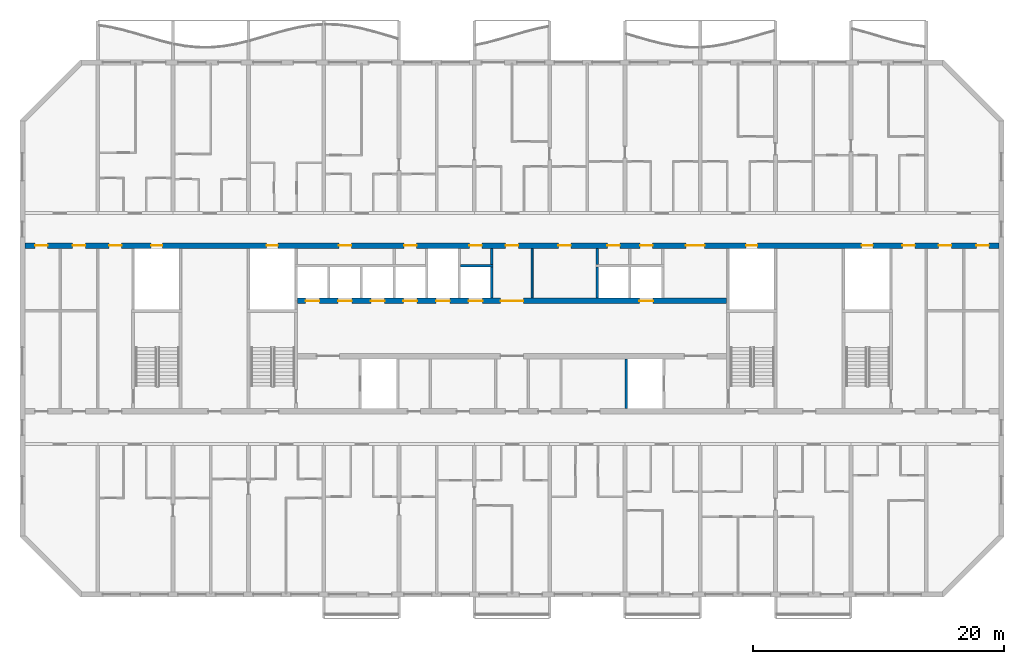
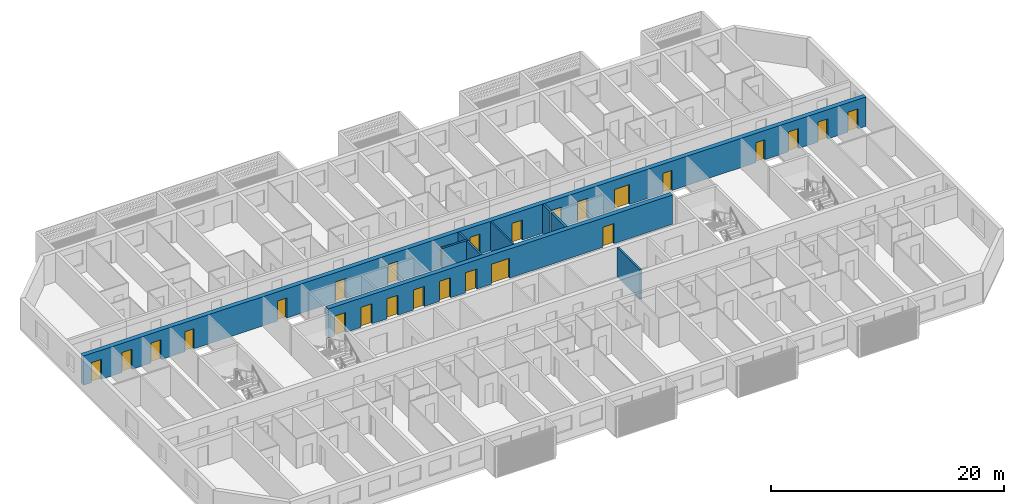
# One storey, part 7 of 32: 26 doors, 9 walls, 26 openings.
"""IFC4 building model written with IfcOpenShell, lengths in metres."""

from ifc_helpers import new_model, si_unit, direction, frame, frame_2d, origin, place, context, subcontext, project, spatial, rectangle, extrude, material, layer, layer_set, type_object, element, fill, save


model = new_model("IFC4")

# Units and contexts
model_context = context("Model", 3, precision=1e-05, world=origin(), true_north=direction((0.0, 1.0)))
body_context = subcontext(model_context, "Body", "Model", "MODEL_VIEW")
ifc_project = project(units=[si_unit("LENGTHUNIT", "METRE"), si_unit("AREAUNIT", "SQUARE_METRE"), si_unit("VOLUMEUNIT", "CUBIC_METRE"), si_unit("PLANEANGLEUNIT", "RADIAN"), si_unit("MASSUNIT", "GRAM", prefix="KILO")], contexts=[model_context])

# Site, building, storey
site_placement = place(None, origin())
site = spatial("IfcSite", under=ifc_project, at=site_placement, CompositionType="ELEMENT")
building_placement = place(site_placement, origin())
building = spatial("IfcBuilding", under=site, at=building_placement, Name="Poui Terraces", CompositionType="ELEMENT")
storey_placement = place(building_placement, frame((0.0, 0.0, 129.0)))
storey = spatial("IfcBuildingStorey", under=building, at=storey_placement, Name="L35", CompositionType="ELEMENT", Elevation=129.0)

# Wall, openings, doors
ifc_material_1 = material(Name="Concrete 65 MPa", Category="concrete")
ifc_layer_1 = layer(ifc_material_1, 0.449951171875)
ifc_layer_set_1 = layer_set([ifc_layer_1], Name="Concrete 65 MPa")
wall_type_1 = type_object("IfcWallType", Name="CORE WALL 450 65 MPA", PredefinedType="SOLIDWALL", material=ifc_layer_set_1)
wall_1_placement = place(storey_placement, frame((33.925048828125, 23.39990234375, 0.0), z_axis=(0.0, 0.0, 1.0), x_axis=(1.0, 0.0, 0.0)))
wall_1 = element("IfcWall", 1, at=wall_1_placement, inside=storey, type_object=wall_type_1, Name="CORE WALL", PredefinedType="SOLIDWALL", context=body_context, shape_type="SweptSolid", body=[
    extrude(rectangle(XDim=34.14990234375, YDim=0.449951171875, at=frame_2d((17.074951171875, 0.0))), origin(), (0.0, 0.0, 1.0), 3.070068359375),
])
opening_1_placement = place(wall_1_placement, frame((16.175048828125, 0.0, 0.0)))
opening_1 = element("IfcOpeningElement", 2, at=opening_1_placement, cuts=wall_1, Name="Opening FDD60", PredefinedType="OPENING", context=body_context, shape_type="SweptSolid", body=[
    extrude(rectangle(XDim=1.800048828125, YDim=2.10009765625, at=frame_2d((0.89990234375, 1.050048828125))), frame((0.0, 0.23486328125, 0.0), z_axis=(0.0, -1.0, 0.0), x_axis=(1.0, 0.0, 0.0)), (0.0, 0.0, 1.0), 0.469970703125),
])
opening_2_placement = place(wall_1_placement, frame((0.625, 0.0, 0.0)))
opening_2 = element("IfcOpeningElement", 3, at=opening_2_placement, cuts=wall_1, Name="Opening LD", PredefinedType="OPENING", context=body_context, shape_type="SweptSolid", body=[
    extrude(rectangle(XDim=1.10009765625, YDim=2.10009765625, at=frame_2d((0.550048828125, 1.050048828125))), frame((0.0, 0.23486328125, 0.0), z_axis=(0.0, -1.0, 0.0), x_axis=(1.0, 0.0, 0.0)), (0.0, 0.0, 1.0), 0.469970703125),
])
opening_3_placement = place(wall_1_placement, frame((3.22509765625, 0.0, 0.0)))
opening_3 = element("IfcOpeningElement", 4, at=opening_3_placement, cuts=wall_1, Name="Opening LD", PredefinedType="OPENING", context=body_context, shape_type="SweptSolid", body=[
    extrude(rectangle(XDim=1.10009765625, YDim=2.10009765625, at=frame_2d((0.550048828125, 1.050048828125))), frame((0.0, 0.23486328125, 0.0), z_axis=(0.0, -1.0, 0.0), x_axis=(1.0, 0.0, 0.0)), (0.0, 0.0, 1.0), 0.469970703125),
])
opening_4_placement = place(wall_1_placement, frame((5.824951171875, 0.0, 0.0)))
opening_4 = element("IfcOpeningElement", 5, at=opening_4_placement, cuts=wall_1, Name="Opening LD", PredefinedType="OPENING", context=body_context, shape_type="SweptSolid", body=[
    extrude(rectangle(XDim=1.10009765625, YDim=2.10009765625, at=frame_2d((0.550048828125, 1.050048828125))), frame((0.0, 0.23486328125, 0.0), z_axis=(0.0, -1.0, 0.0), x_axis=(1.0, 0.0, 0.0)), (0.0, 0.0, 1.0), 0.469970703125),
])
opening_5_placement = place(wall_1_placement, frame((8.425048828125, 0.0, 0.0)))
opening_5 = element("IfcOpeningElement", 6, at=opening_5_placement, cuts=wall_1, Name="Opening LD", PredefinedType="OPENING", context=body_context, shape_type="SweptSolid", body=[
    extrude(rectangle(XDim=1.10009765625, YDim=2.10009765625, at=frame_2d((0.550048828125, 1.050048828125))), frame((0.0, 0.23486328125, 0.0), z_axis=(0.0, -1.0, 0.0), x_axis=(1.0, 0.0, 0.0)), (0.0, 0.0, 1.0), 0.469970703125),
])
opening_6_placement = place(wall_1_placement, frame((11.02490234375, 0.0, 0.0)))
opening_6 = element("IfcOpeningElement", 7, at=opening_6_placement, cuts=wall_1, Name="Opening LD", PredefinedType="OPENING", context=body_context, shape_type="SweptSolid", body=[
    extrude(rectangle(XDim=1.10009765625, YDim=2.10009765625, at=frame_2d((0.550048828125, 1.050048828125))), frame((0.0, 0.23486328125, 0.0), z_axis=(0.0, -1.0, 0.0), x_axis=(1.0, 0.0, 0.0)), (0.0, 0.0, 1.0), 0.469970703125),
])
opening_7_placement = place(wall_1_placement, frame((13.625, 0.0, 0.0)))
opening_7 = element("IfcOpeningElement", 8, at=opening_7_placement, cuts=wall_1, Name="Opening LD", PredefinedType="OPENING", context=body_context, shape_type="SweptSolid", body=[
    extrude(rectangle(XDim=1.10009765625, YDim=2.10009765625, at=frame_2d((0.550048828125, 1.050048828125))), frame((0.0, 0.23486328125, 0.0), z_axis=(0.0, -1.0, 0.0), x_axis=(1.0, 0.0, 0.0)), (0.0, 0.0, 1.0), 0.469970703125),
])
opening_8_placement = place(wall_1_placement, frame((27.22509765625, 0.0, 0.0)))
opening_8 = element("IfcOpeningElement", 9, at=opening_8_placement, cuts=wall_1, Name="Opening LD", PredefinedType="OPENING", context=body_context, shape_type="SweptSolid", body=[
    extrude(rectangle(XDim=1.10009765625, YDim=2.10009765625, at=frame_2d((0.550048828125, 1.050048828125))), frame((0.0, 0.23486328125, 0.0), z_axis=(0.0, -1.0, 0.0), x_axis=(1.0, 0.0, 0.0)), (0.0, 0.0, 1.0), 0.469970703125),
])
ifc_material_2 = material(Name="Steel fire door", Category="steel")
door_type_1 = type_object("IfcDoorType", Name="DOUBLE LOBBY FIRE DOOR 1800 X 2100", OperationType="DOUBLE_DOOR_SINGLE_SWING", PredefinedType="DOOR", material=ifc_material_2)
door_1_placement = place(opening_1_placement, origin())
door_1 = element("IfcDoor", 10, at=door_1_placement, inside=storey, type_object=door_type_1, Name="DOUBLE LOBBY FIRE DOOR 125", OperationType="DOUBLE_DOOR_SINGLE_SWING", OverallHeight=2.10009765625, OverallWidth=1.800048828125, PredefinedType="DOOR", context=body_context, shape_type="SweptSolid", body=[
    extrude(rectangle(XDim=1.800048828125, YDim=2.10009765625, at=frame_2d((0.89990234375, 1.050048828125))), frame((0.0, 0.02490234375, 0.0), z_axis=(0.0, -1.0, 0.0), x_axis=(1.0, 0.0, 0.0)), (0.0, 0.0, 1.0), 0.050048828125),
])
fill(opening_1, door_1)
ifc_material_3 = material(Name="Stainless steel sliding door", Category="steel")
door_type_2 = type_object("IfcDoorType", Name="LIFT LANDING DOOR 1100 X 2100", OperationType="DOUBLE_DOOR_SLIDING", PredefinedType="DOOR", material=ifc_material_3)
door_2_placement = place(opening_2_placement, origin())
door_2 = element("IfcDoor", 11, at=door_2_placement, inside=storey, type_object=door_type_2, Name="LANDING DOOR", OperationType="DOUBLE_DOOR_SLIDING", OverallHeight=2.10009765625, OverallWidth=1.10009765625, PredefinedType="DOOR", context=body_context, shape_type="SweptSolid", body=[
    extrude(rectangle(XDim=1.10009765625, YDim=2.10009765625, at=frame_2d((0.550048828125, 1.050048828125))), frame((0.0, 0.02490234375, 0.0), z_axis=(0.0, -1.0, 0.0), x_axis=(1.0, 0.0, 0.0)), (0.0, 0.0, 1.0), 0.050048828125),
])
fill(opening_2, door_2)
door_3_placement = place(opening_3_placement, origin())
door_3 = element("IfcDoor", 12, at=door_3_placement, inside=storey, type_object=door_type_2, Name="LANDING DOOR", OperationType="DOUBLE_DOOR_SLIDING", OverallHeight=2.10009765625, OverallWidth=1.10009765625, PredefinedType="DOOR", context=body_context, shape_type="SweptSolid", body=[
    extrude(rectangle(XDim=1.10009765625, YDim=2.10009765625, at=frame_2d((0.550048828125, 1.050048828125))), frame((0.0, 0.02490234375, 0.0), z_axis=(0.0, -1.0, 0.0), x_axis=(1.0, 0.0, 0.0)), (0.0, 0.0, 1.0), 0.050048828125),
])
fill(opening_3, door_3)
door_4_placement = place(opening_4_placement, origin())
door_4 = element("IfcDoor", 13, at=door_4_placement, inside=storey, type_object=door_type_2, Name="LANDING DOOR", OperationType="DOUBLE_DOOR_SLIDING", OverallHeight=2.10009765625, OverallWidth=1.10009765625, PredefinedType="DOOR", context=body_context, shape_type="SweptSolid", body=[
    extrude(rectangle(XDim=1.10009765625, YDim=2.10009765625, at=frame_2d((0.550048828125, 1.050048828125))), frame((0.0, 0.02490234375, 0.0), z_axis=(0.0, -1.0, 0.0), x_axis=(1.0, 0.0, 0.0)), (0.0, 0.0, 1.0), 0.050048828125),
])
fill(opening_4, door_4)
door_5_placement = place(opening_5_placement, origin())
door_5 = element("IfcDoor", 14, at=door_5_placement, inside=storey, type_object=door_type_2, Name="LANDING DOOR", OperationType="DOUBLE_DOOR_SLIDING", OverallHeight=2.10009765625, OverallWidth=1.10009765625, PredefinedType="DOOR", context=body_context, shape_type="SweptSolid", body=[
    extrude(rectangle(XDim=1.10009765625, YDim=2.10009765625, at=frame_2d((0.550048828125, 1.050048828125))), frame((0.0, 0.02490234375, 0.0), z_axis=(0.0, -1.0, 0.0), x_axis=(1.0, 0.0, 0.0)), (0.0, 0.0, 1.0), 0.050048828125),
])
fill(opening_5, door_5)
door_6_placement = place(opening_6_placement, origin())
door_6 = element("IfcDoor", 15, at=door_6_placement, inside=storey, type_object=door_type_2, Name="LANDING DOOR", OperationType="DOUBLE_DOOR_SLIDING", OverallHeight=2.10009765625, OverallWidth=1.10009765625, PredefinedType="DOOR", context=body_context, shape_type="SweptSolid", body=[
    extrude(rectangle(XDim=1.10009765625, YDim=2.10009765625, at=frame_2d((0.550048828125, 1.050048828125))), frame((0.0, 0.02490234375, 0.0), z_axis=(0.0, -1.0, 0.0), x_axis=(1.0, 0.0, 0.0)), (0.0, 0.0, 1.0), 0.050048828125),
])
fill(opening_6, door_6)
door_7_placement = place(opening_7_placement, origin())
door_7 = element("IfcDoor", 16, at=door_7_placement, inside=storey, type_object=door_type_2, Name="LANDING DOOR", OperationType="DOUBLE_DOOR_SLIDING", OverallHeight=2.10009765625, OverallWidth=1.10009765625, PredefinedType="DOOR", context=body_context, shape_type="SweptSolid", body=[
    extrude(rectangle(XDim=1.10009765625, YDim=2.10009765625, at=frame_2d((0.550048828125, 1.050048828125))), frame((0.0, 0.02490234375, 0.0), z_axis=(0.0, -1.0, 0.0), x_axis=(1.0, 0.0, 0.0)), (0.0, 0.0, 1.0), 0.050048828125),
])
fill(opening_7, door_7)
door_8_placement = place(opening_8_placement, origin())
door_8 = element("IfcDoor", 17, at=door_8_placement, inside=storey, type_object=door_type_2, Name="LANDING DOOR", OperationType="DOUBLE_DOOR_SLIDING", OverallHeight=2.10009765625, OverallWidth=1.10009765625, PredefinedType="DOOR", context=body_context, shape_type="SweptSolid", body=[
    extrude(rectangle(XDim=1.10009765625, YDim=2.10009765625, at=frame_2d((0.550048828125, 1.050048828125))), frame((0.0, 0.02490234375, 0.0), z_axis=(0.0, -1.0, 0.0), x_axis=(1.0, 0.0, 0.0)), (0.0, 0.0, 1.0), 0.050048828125),
])
fill(opening_8, door_8)

# Walls
ifc_material_4 = material(Name="Fire-rated plasterboard wall")
ifc_layer_2 = layer(ifc_material_4, 0.14990234375)
ifc_layer_set_2 = layer_set([ifc_layer_2], Name="Fire-rated plasterboard wall")
wall_type_2 = type_object("IfcWallType", Name="CORRIDOR WALL 150", PredefinedType="PARTITIONING", material=ifc_layer_set_2)
wall_2_placement = place(storey_placement, frame((52.60009765625, 23.635009765625, 0.0), z_axis=(0.0, 0.0, 1.0), x_axis=(0.0, 1.0, 0.0)))
element("IfcWall", 18, at=wall_2_placement, inside=storey, type_object=wall_type_2, Name="CORRIDOR WALL 150", PredefinedType="PARTITIONING", context=body_context, shape_type="SweptSolid", body=[
    extrude(rectangle(XDim=3.929931640625, YDim=0.14990234375, at=frame_2d((1.96484375, 0.0))), origin(), (0.0, 0.0, 1.0), 3.070068359375),
])
ifc_material_5 = material(Name="Fire-rated masonry wall", Category="masonry")
ifc_layer_3 = layer(ifc_material_5, 0.199951171875)
ifc_layer_set_3 = layer_set([ifc_layer_3], Name="Fire-rated masonry wall")
wall_type_3 = type_object("IfcWallType", Name="PLANT ROOM WALL 200", PredefinedType="PARTITIONING", material=ifc_layer_set_3)
for number, where, z_axis, x_axis, name in (
    (19, (49.39990234375, 26.300048828125, 0.0), (0.0, 0.0, 1.0), (0.0, 1.0, 0.0), "PLANT ROOM WALL 200"),
    (20, (57.800048828125, 26.300048828125, 0.0), (0.0, 0.0, 1.0), (0.0, 1.0, 0.0), "PLANT ROOM WALL 200"),
):
    element("IfcWall", number, at=place(storey_placement, frame(where, z_axis=z_axis, x_axis=x_axis)), inside=storey, type_object=wall_type_3, Name=name, PredefinedType="PARTITIONING", context=body_context, shape_type="SweptSolid", body=[
        extrude(rectangle(XDim=1.264892578125, YDim=0.199951171875, at=frame_2d((0.63232421875, 0.0))), origin(), (0.0, 0.0, 1.0), 3.070068359375),
    ])
ifc_material_6 = material(Name="Fire-rated masonry shaft wall", Category="masonry")
ifc_layer_4 = layer(ifc_material_6, 0.199951171875)
ifc_layer_set_4 = layer_set([ifc_layer_4], Name="Fire-rated masonry shaft wall")
wall_type_4 = type_object("IfcWallType", Name="SHAFT WALL 200", PredefinedType="PARTITIONING", material=ifc_layer_set_4)
wall_3_placement = place(storey_placement, frame((46.89990234375, 26.199951171875, 0.0), z_axis=(0.0, 0.0, 1.0), x_axis=(1.0, 0.0, 0.0)))
element("IfcWall", 21, at=wall_3_placement, inside=storey, type_object=wall_type_4, Name="SHAFT WALL 200", PredefinedType="PARTITIONING", context=body_context, shape_type="SweptSolid", body=[
    extrude(rectangle(XDim=2.60009765625, YDim=0.199951171875, at=frame_2d((1.300048828125, 0.0))), origin(), (0.0, 0.0, 1.0), 3.070068359375),
])
for number, where, z_axis, x_axis, name in (
    (22, (49.39990234375, 23.635009765625, 0.0), (0.0, 0.0, 1.0), (0.0, 1.0, 0.0), "SHAFT WALL 200"),
    (23, (57.800048828125, 23.635009765625, 0.0), (0.0, 0.0, 1.0), (0.0, 1.0, 0.0), "SHAFT WALL 200"),
):
    element("IfcWall", number, at=place(storey_placement, frame(where, z_axis=z_axis, x_axis=x_axis)), inside=storey, type_object=wall_type_4, Name=name, PredefinedType="PARTITIONING", context=body_context, shape_type="SweptSolid", body=[
        extrude(rectangle(XDim=2.465087890625, YDim=0.199951171875, at=frame_2d((1.232421875, 0.0))), origin(), (0.0, 0.0, 1.0), 3.070068359375),
    ])
wall_4_placement = place(storey_placement, frame((60.10009765625, 14.8349609375, 0.0), z_axis=(0.0, 0.0, 1.0), x_axis=(0.0, 1.0, 0.0)))
element("IfcWall", 24, at=wall_4_placement, inside=storey, type_object=wall_type_4, Name="SHAFT WALL 200", PredefinedType="PARTITIONING", context=body_context, shape_type="SweptSolid", body=[
    extrude(rectangle(XDim=3.929931640625, YDim=0.199951171875, at=frame_2d((1.96484375, 0.0))), origin(), (0.0, 0.0, 1.0), 3.070068359375),
])

# Wall, openings, doors
ifc_layer_5 = layer(ifc_material_1, 0.449951171875)
ifc_layer_set_5 = layer_set([ifc_layer_5], Name="Concrete 65 MPa")
wall_type_5 = type_object("IfcWallType", Name="SPINE WALL 450 65 MPA", PredefinedType="SOLIDWALL", material=ifc_layer_set_5)
wall_5_placement = place(storey_placement, frame((12.199951171875, 27.800048828125, 0.0), z_axis=(0.0, 0.0, 1.0), x_axis=(1.0, 0.0, 0.0)))
wall_5 = element("IfcWall", 25, at=wall_5_placement, inside=storey, type_object=wall_type_5, Name="SPINE WALL", PredefinedType="SOLIDWALL", context=body_context, shape_type="SweptSolid", body=[
    extrude(rectangle(XDim=77.60009765625, YDim=0.449951171875, at=frame_2d((38.800048828125, 0.0))), origin(), (0.0, 0.0, 1.0), 3.070068359375),
])
opening_9_placement = place(wall_5_placement, frame((0.800048828125, 0.0, 0.0)))
opening_9 = element("IfcOpeningElement", 26, at=opening_9_placement, cuts=wall_5, Name="Opening FD60", PredefinedType="OPENING", context=body_context, shape_type="SweptSolid", body=[
    extrude(rectangle(XDim=1.0, YDim=2.10009765625, at=frame_2d((0.5, 1.050048828125))), frame((0.0, 0.23486328125, 0.0), z_axis=(0.0, -1.0, 0.0), x_axis=(1.0, 0.0, 0.0)), (0.0, 0.0, 1.0), 0.469970703125),
])
opening_10_placement = place(wall_5_placement, frame((3.800048828125, 0.0, 0.0)))
opening_10 = element("IfcOpeningElement", 27, at=opening_10_placement, cuts=wall_5, Name="Opening D100", PredefinedType="OPENING", context=body_context, shape_type="SweptSolid", body=[
    extrude(rectangle(XDim=1.0, YDim=2.10009765625, at=frame_2d((0.5, 1.050048828125))), frame((0.0, 0.23486328125, 0.0), z_axis=(0.0, -1.0, 0.0), x_axis=(1.0, 0.0, 0.0)), (0.0, 0.0, 1.0), 0.469970703125),
])
opening_11_placement = place(wall_5_placement, frame((6.699951171875, 0.0, 0.0)))
opening_11 = element("IfcOpeningElement", 28, at=opening_11_placement, cuts=wall_5, Name="Opening FDL", PredefinedType="OPENING", context=body_context, shape_type="SweptSolid", body=[
    extrude(rectangle(XDim=1.0, YDim=2.10009765625, at=frame_2d((0.5, 1.050048828125))), frame((0.0, 0.23486328125, 0.0), z_axis=(0.0, -1.0, 0.0), x_axis=(1.0, 0.0, 0.0)), (0.0, 0.0, 1.0), 0.469970703125),
])
opening_12_placement = place(wall_5_placement, frame((10.050048828125, 0.0, 0.0)))
opening_12 = element("IfcOpeningElement", 29, at=opening_12_placement, cuts=wall_5, Name="Opening FDR", PredefinedType="OPENING", context=body_context, shape_type="SweptSolid", body=[
    extrude(rectangle(XDim=0.89990234375, YDim=2.10009765625, at=frame_2d((0.449951171875, 1.050048828125))), frame((0.0, 0.23486328125, 0.0), z_axis=(0.0, -1.0, 0.0), x_axis=(1.0, 0.0, 0.0)), (0.0, 0.0, 1.0), 0.469970703125),
])
opening_13_placement = place(wall_5_placement, frame((19.25, 0.0, 0.0)))
opening_13 = element("IfcOpeningElement", 30, at=opening_13_placement, cuts=wall_5, Name="Opening FDR", PredefinedType="OPENING", context=body_context, shape_type="SweptSolid", body=[
    extrude(rectangle(XDim=0.89990234375, YDim=2.10009765625, at=frame_2d((0.449951171875, 1.050048828125))), frame((0.0, 0.23486328125, 0.0), z_axis=(0.0, -1.0, 0.0), x_axis=(1.0, 0.0, 0.0)), (0.0, 0.0, 1.0), 0.469970703125),
])
opening_14_placement = place(wall_5_placement, frame((25.0, 0.0, 0.0)))
opening_14 = element("IfcOpeningElement", 31, at=opening_14_placement, cuts=wall_5, Name="Opening FD60", PredefinedType="OPENING", context=body_context, shape_type="SweptSolid", body=[
    extrude(rectangle(XDim=1.0, YDim=2.10009765625, at=frame_2d((0.5, 1.050048828125))), frame((0.0, 0.23486328125, 0.0), z_axis=(0.0, -1.0, 0.0), x_axis=(1.0, 0.0, 0.0)), (0.0, 0.0, 1.0), 0.469970703125),
])
opening_15_placement = place(wall_5_placement, frame((30.199951171875, 0.0, 0.0)))
opening_15 = element("IfcOpeningElement", 32, at=opening_15_placement, cuts=wall_5, Name="Opening FD60", PredefinedType="OPENING", context=body_context, shape_type="SweptSolid", body=[
    extrude(rectangle(XDim=1.0, YDim=2.10009765625, at=frame_2d((0.5, 1.050048828125))), frame((0.0, 0.23486328125, 0.0), z_axis=(0.0, -1.0, 0.0), x_axis=(1.0, 0.0, 0.0)), (0.0, 0.0, 1.0), 0.469970703125),
])
opening_16_placement = place(wall_5_placement, frame((35.39990234375, 0.0, 0.0)))
opening_16 = element("IfcOpeningElement", 33, at=opening_16_placement, cuts=wall_5, Name="Opening FD60", PredefinedType="OPENING", context=body_context, shape_type="SweptSolid", body=[
    extrude(rectangle(XDim=1.0, YDim=2.10009765625, at=frame_2d((0.5, 1.050048828125))), frame((0.0, 0.23486328125, 0.0), z_axis=(0.0, -1.0, 0.0), x_axis=(1.0, 0.0, 0.0)), (0.0, 0.0, 1.0), 0.469970703125),
])
opening_17_placement = place(wall_5_placement, frame((38.300048828125, 0.0, 0.0)))
opening_17 = element("IfcOpeningElement", 34, at=opening_17_placement, cuts=wall_5, Name="Opening FDL", PredefinedType="OPENING", context=body_context, shape_type="SweptSolid", body=[
    extrude(rectangle(XDim=1.0, YDim=2.10009765625, at=frame_2d((0.5, 1.050048828125))), frame((0.0, 0.23486328125, 0.0), z_axis=(0.0, -1.0, 0.0), x_axis=(1.0, 0.0, 0.0)), (0.0, 0.0, 1.0), 0.469970703125),
])
opening_18_placement = place(wall_5_placement, frame((42.5, 0.0, 0.0)))
opening_18 = element("IfcOpeningElement", 35, at=opening_18_placement, cuts=wall_5, Name="Opening FD60", PredefinedType="OPENING", context=body_context, shape_type="SweptSolid", body=[
    extrude(rectangle(XDim=1.0, YDim=2.10009765625, at=frame_2d((0.5, 1.050048828125))), frame((0.0, 0.23486328125, 0.0), z_axis=(0.0, -1.0, 0.0), x_axis=(1.0, 0.0, 0.0)), (0.0, 0.0, 1.0), 0.469970703125),
])
opening_19_placement = place(wall_5_placement, frame((46.39990234375, 0.0, 0.0)))
opening_19 = element("IfcOpeningElement", 36, at=opening_19_placement, cuts=wall_5, Name="Opening FD60", PredefinedType="OPENING", context=body_context, shape_type="SweptSolid", body=[
    extrude(rectangle(XDim=1.0, YDim=2.10009765625, at=frame_2d((0.5, 1.050048828125))), frame((0.0, 0.23486328125, 0.0), z_axis=(0.0, -1.0, 0.0), x_axis=(1.0, 0.0, 0.0)), (0.0, 0.0, 1.0), 0.469970703125),
])
opening_20_placement = place(wall_5_placement, frame((49.0, 0.0, 0.0)))
opening_20 = element("IfcOpeningElement", 37, at=opening_20_placement, cuts=wall_5, Name="Opening FD60", PredefinedType="OPENING", context=body_context, shape_type="SweptSolid", body=[
    extrude(rectangle(XDim=1.0, YDim=2.10009765625, at=frame_2d((0.5, 1.050048828125))), frame((0.0, 0.23486328125, 0.0), z_axis=(0.0, -1.0, 0.0), x_axis=(1.0, 0.0, 0.0)), (0.0, 0.0, 1.0), 0.469970703125),
])
opening_21_placement = place(wall_5_placement, frame((52.64990234375, 0.0, 0.0)))
opening_21 = element("IfcOpeningElement", 38, at=opening_21_placement, cuts=wall_5, Name="Opening FDP", PredefinedType="OPENING", context=body_context, shape_type="SweptSolid", body=[
    extrude(rectangle(XDim=1.5, YDim=2.10009765625, at=frame_2d((0.75, 1.050048828125))), frame((0.0, 0.23486328125, 0.0), z_axis=(0.0, -1.0, 0.0), x_axis=(1.0, 0.0, 0.0)), (0.0, 0.0, 1.0), 0.469970703125),
])
opening_22_placement = place(wall_5_placement, frame((57.449951171875, 0.0, 0.0)))
opening_22 = element("IfcOpeningElement", 39, at=opening_22_placement, cuts=wall_5, Name="Opening FDR", PredefinedType="OPENING", context=body_context, shape_type="SweptSolid", body=[
    extrude(rectangle(XDim=0.89990234375, YDim=2.10009765625, at=frame_2d((0.449951171875, 1.050048828125))), frame((0.0, 0.23486328125, 0.0), z_axis=(0.0, -1.0, 0.0), x_axis=(1.0, 0.0, 0.0)), (0.0, 0.0, 1.0), 0.469970703125),
])
opening_23_placement = place(wall_5_placement, frame((66.64990234375, 0.0, 0.0)))
opening_23 = element("IfcOpeningElement", 40, at=opening_23_placement, cuts=wall_5, Name="Opening FDR", PredefinedType="OPENING", context=body_context, shape_type="SweptSolid", body=[
    extrude(rectangle(XDim=0.89990234375, YDim=2.10009765625, at=frame_2d((0.449951171875, 1.050048828125))), frame((0.0, 0.23486328125, 0.0), z_axis=(0.0, -1.0, 0.0), x_axis=(1.0, 0.0, 0.0)), (0.0, 0.0, 1.0), 0.469970703125),
])
opening_24_placement = place(wall_5_placement, frame((69.89990234375, 0.0, 0.0)))
opening_24 = element("IfcOpeningElement", 41, at=opening_24_placement, cuts=wall_5, Name="Opening FDL", PredefinedType="OPENING", context=body_context, shape_type="SweptSolid", body=[
    extrude(rectangle(XDim=1.0, YDim=2.10009765625, at=frame_2d((0.5, 1.050048828125))), frame((0.0, 0.23486328125, 0.0), z_axis=(0.0, -1.0, 0.0), x_axis=(1.0, 0.0, 0.0)), (0.0, 0.0, 1.0), 0.469970703125),
])
opening_25_placement = place(wall_5_placement, frame((72.800048828125, 0.0, 0.0)))
opening_25 = element("IfcOpeningElement", 42, at=opening_25_placement, cuts=wall_5, Name="Opening FD60", PredefinedType="OPENING", context=body_context, shape_type="SweptSolid", body=[
    extrude(rectangle(XDim=1.0, YDim=2.10009765625, at=frame_2d((0.5, 1.050048828125))), frame((0.0, 0.23486328125, 0.0), z_axis=(0.0, -1.0, 0.0), x_axis=(1.0, 0.0, 0.0)), (0.0, 0.0, 1.0), 0.469970703125),
])
opening_26_placement = place(wall_5_placement, frame((75.800048828125, 0.0, 0.0)))
opening_26 = element("IfcOpeningElement", 43, at=opening_26_placement, cuts=wall_5, Name="Opening FD60", PredefinedType="OPENING", context=body_context, shape_type="SweptSolid", body=[
    extrude(rectangle(XDim=1.0, YDim=2.10009765625, at=frame_2d((0.5, 1.050048828125))), frame((0.0, 0.23486328125, 0.0), z_axis=(0.0, -1.0, 0.0), x_axis=(1.0, 0.0, 0.0)), (0.0, 0.0, 1.0), 0.469970703125),
])
ifc_material_7 = material(Name="Solid core timber door", Category="wood")
door_type_3 = type_object("IfcDoorType", Name="ACCESSIBLE INTERNAL DOOR 1000 X 2100", OperationType="NOTDEFINED", PredefinedType="DOOR", material=ifc_material_7)
door_9_placement = place(opening_10_placement, origin())
door_9 = element("IfcDoor", 44, at=door_9_placement, inside=storey, type_object=door_type_3, Name="ACCESSIBLE INTERNAL DOOR 002", OperationType="SINGLE_SWING_LEFT", OverallHeight=2.10009765625, OverallWidth=1.0, PredefinedType="DOOR", context=body_context, shape_type="SweptSolid", body=[
    extrude(rectangle(XDim=1.0, YDim=2.10009765625, at=frame_2d((0.5, 1.050048828125))), frame((0.0, 0.02490234375, 0.0), z_axis=(0.0, -1.0, 0.0), x_axis=(1.0, 0.0, 0.0)), (0.0, 0.0, 1.0), 0.050048828125),
])
fill(opening_10, door_9)
door_type_4 = type_object("IfcDoorType", Name="LOBBY FIRE DOOR 1000 X 2100", OperationType="NOTDEFINED", PredefinedType="DOOR", material=ifc_material_2)
door_10_placement = place(opening_11_placement, origin())
door_10 = element("IfcDoor", 45, at=door_10_placement, inside=storey, type_object=door_type_4, Name="LOBBY FIRE DOOR 003", OperationType="SINGLE_SWING_LEFT", OverallHeight=2.10009765625, OverallWidth=1.0, PredefinedType="DOOR", context=body_context, shape_type="SweptSolid", body=[
    extrude(rectangle(XDim=1.0, YDim=2.10009765625, at=frame_2d((0.5, 1.050048828125))), frame((0.0, 0.02490234375, 0.0), z_axis=(0.0, -1.0, 0.0), x_axis=(1.0, 0.0, 0.0)), (0.0, 0.0, 1.0), 0.050048828125),
])
fill(opening_11, door_10)
door_11_placement = place(opening_17_placement, origin())
door_11 = element("IfcDoor", 46, at=door_11_placement, inside=storey, type_object=door_type_4, Name="LOBBY FIRE DOOR 009", OperationType="SINGLE_SWING_RIGHT", OverallHeight=2.10009765625, OverallWidth=1.0, PredefinedType="DOOR", context=body_context, shape_type="SweptSolid", body=[
    extrude(rectangle(XDim=1.0, YDim=2.10009765625, at=frame_2d((0.5, 1.050048828125))), frame((0.0, 0.02490234375, 0.0), z_axis=(0.0, -1.0, 0.0), x_axis=(1.0, 0.0, 0.0)), (0.0, 0.0, 1.0), 0.050048828125),
])
fill(opening_17, door_11)
door_12_placement = place(opening_24_placement, origin())
door_12 = element("IfcDoor", 47, at=door_12_placement, inside=storey, type_object=door_type_4, Name="LOBBY FIRE DOOR 016", OperationType="SINGLE_SWING_RIGHT", OverallHeight=2.10009765625, OverallWidth=1.0, PredefinedType="DOOR", context=body_context, shape_type="SweptSolid", body=[
    extrude(rectangle(XDim=1.0, YDim=2.10009765625, at=frame_2d((0.5, 1.050048828125))), frame((0.0, 0.02490234375, 0.0), z_axis=(0.0, -1.0, 0.0), x_axis=(1.0, 0.0, 0.0)), (0.0, 0.0, 1.0), 0.050048828125),
])
fill(opening_24, door_12)
door_type_5 = type_object("IfcDoorType", Name="PLANT ROOM DOOR PAIR 1500 X 2100", OperationType="DOUBLE_DOOR_SINGLE_SWING", PredefinedType="DOOR", material=ifc_material_2)
door_13_placement = place(opening_21_placement, origin())
door_13 = element("IfcDoor", 48, at=door_13_placement, inside=storey, type_object=door_type_5, Name="PLANT ROOM DOOR PAIR 013", OperationType="DOUBLE_DOOR_SINGLE_SWING", OverallHeight=2.10009765625, OverallWidth=1.5, PredefinedType="DOOR", context=body_context, shape_type="SweptSolid", body=[
    extrude(rectangle(XDim=1.5, YDim=2.10009765625, at=frame_2d((0.75, 1.050048828125))), frame((0.0, 0.02490234375, 0.0), z_axis=(0.0, -1.0, 0.0), x_axis=(1.0, 0.0, 0.0)), (0.0, 0.0, 1.0), 0.050048828125),
])
fill(opening_21, door_13)
door_type_6 = type_object("IfcDoorType", Name="RISER CUPBOARD DOOR 900 X 2100", OperationType="NOTDEFINED", PredefinedType="DOOR", material=ifc_material_2)
door_14_placement = place(opening_12_placement, origin())
door_14 = element("IfcDoor", 49, at=door_14_placement, inside=storey, type_object=door_type_6, Name="RISER CUPBOARD DOOR 004", OperationType="SINGLE_SWING_LEFT", OverallHeight=2.10009765625, OverallWidth=0.89990234375, PredefinedType="DOOR", context=body_context, shape_type="SweptSolid", body=[
    extrude(rectangle(XDim=0.89990234375, YDim=2.10009765625, at=frame_2d((0.449951171875, 1.050048828125))), frame((0.0, 0.02490234375, 0.0), z_axis=(0.0, -1.0, 0.0), x_axis=(1.0, 0.0, 0.0)), (0.0, 0.0, 1.0), 0.050048828125),
])
fill(opening_12, door_14)
door_15_placement = place(opening_13_placement, origin())
door_15 = element("IfcDoor", 50, at=door_15_placement, inside=storey, type_object=door_type_6, Name="RISER CUPBOARD DOOR 005", OperationType="SINGLE_SWING_LEFT", OverallHeight=2.10009765625, OverallWidth=0.89990234375, PredefinedType="DOOR", context=body_context, shape_type="SweptSolid", body=[
    extrude(rectangle(XDim=0.89990234375, YDim=2.10009765625, at=frame_2d((0.449951171875, 1.050048828125))), frame((0.0, 0.02490234375, 0.0), z_axis=(0.0, -1.0, 0.0), x_axis=(1.0, 0.0, 0.0)), (0.0, 0.0, 1.0), 0.050048828125),
])
fill(opening_13, door_15)
door_16_placement = place(opening_22_placement, origin())
door_16 = element("IfcDoor", 51, at=door_16_placement, inside=storey, type_object=door_type_6, Name="RISER CUPBOARD DOOR 014", OperationType="SINGLE_SWING_RIGHT", OverallHeight=2.10009765625, OverallWidth=0.89990234375, PredefinedType="DOOR", context=body_context, shape_type="SweptSolid", body=[
    extrude(rectangle(XDim=0.89990234375, YDim=2.10009765625, at=frame_2d((0.449951171875, 1.050048828125))), frame((0.0, 0.02490234375, 0.0), z_axis=(0.0, -1.0, 0.0), x_axis=(1.0, 0.0, 0.0)), (0.0, 0.0, 1.0), 0.050048828125),
])
fill(opening_22, door_16)
door_17_placement = place(opening_23_placement, origin())
door_17 = element("IfcDoor", 52, at=door_17_placement, inside=storey, type_object=door_type_6, Name="RISER CUPBOARD DOOR 015", OperationType="SINGLE_SWING_RIGHT", OverallHeight=2.10009765625, OverallWidth=0.89990234375, PredefinedType="DOOR", context=body_context, shape_type="SweptSolid", body=[
    extrude(rectangle(XDim=0.89990234375, YDim=2.10009765625, at=frame_2d((0.449951171875, 1.050048828125))), frame((0.0, 0.02490234375, 0.0), z_axis=(0.0, -1.0, 0.0), x_axis=(1.0, 0.0, 0.0)), (0.0, 0.0, 1.0), 0.050048828125),
])
fill(opening_23, door_17)
door_type_7 = type_object("IfcDoorType", Name="SERVICE ROOM FIRE DOOR 1000 X 2100", OperationType="NOTDEFINED", PredefinedType="DOOR", material=ifc_material_2)
door_18_placement = place(opening_9_placement, origin())
door_18 = element("IfcDoor", 53, at=door_18_placement, inside=storey, type_object=door_type_7, Name="SERVICE ROOM FIRE DOOR 001", OperationType="SINGLE_SWING_RIGHT", OverallHeight=2.10009765625, OverallWidth=1.0, PredefinedType="DOOR", context=body_context, shape_type="SweptSolid", body=[
    extrude(rectangle(XDim=1.0, YDim=2.10009765625, at=frame_2d((0.5, 1.050048828125))), frame((0.0, 0.02490234375, 0.0), z_axis=(0.0, -1.0, 0.0), x_axis=(1.0, 0.0, 0.0)), (0.0, 0.0, 1.0), 0.050048828125),
])
fill(opening_9, door_18)
door_19_placement = place(opening_14_placement, origin())
door_19 = element("IfcDoor", 54, at=door_19_placement, inside=storey, type_object=door_type_7, Name="SERVICE ROOM FIRE DOOR 006", OperationType="SINGLE_SWING_LEFT", OverallHeight=2.10009765625, OverallWidth=1.0, PredefinedType="DOOR", context=body_context, shape_type="SweptSolid", body=[
    extrude(rectangle(XDim=1.0, YDim=2.10009765625, at=frame_2d((0.5, 1.050048828125))), frame((0.0, 0.02490234375, 0.0), z_axis=(0.0, -1.0, 0.0), x_axis=(1.0, 0.0, 0.0)), (0.0, 0.0, 1.0), 0.050048828125),
])
fill(opening_14, door_19)
door_20_placement = place(opening_15_placement, origin())
door_20 = element("IfcDoor", 55, at=door_20_placement, inside=storey, type_object=door_type_7, Name="SERVICE ROOM FIRE DOOR 007", OperationType="SINGLE_SWING_RIGHT", OverallHeight=2.10009765625, OverallWidth=1.0, PredefinedType="DOOR", context=body_context, shape_type="SweptSolid", body=[
    extrude(rectangle(XDim=1.0, YDim=2.10009765625, at=frame_2d((0.5, 1.050048828125))), frame((0.0, 0.02490234375, 0.0), z_axis=(0.0, -1.0, 0.0), x_axis=(1.0, 0.0, 0.0)), (0.0, 0.0, 1.0), 0.050048828125),
])
fill(opening_15, door_20)
door_21_placement = place(opening_16_placement, origin())
door_21 = element("IfcDoor", 56, at=door_21_placement, inside=storey, type_object=door_type_7, Name="SERVICE ROOM FIRE DOOR 008", OperationType="SINGLE_SWING_LEFT", OverallHeight=2.10009765625, OverallWidth=1.0, PredefinedType="DOOR", context=body_context, shape_type="SweptSolid", body=[
    extrude(rectangle(XDim=1.0, YDim=2.10009765625, at=frame_2d((0.5, 1.050048828125))), frame((0.0, 0.02490234375, 0.0), z_axis=(0.0, -1.0, 0.0), x_axis=(1.0, 0.0, 0.0)), (0.0, 0.0, 1.0), 0.050048828125),
])
fill(opening_16, door_21)
door_22_placement = place(opening_18_placement, origin())
door_22 = element("IfcDoor", 57, at=door_22_placement, inside=storey, type_object=door_type_7, Name="SERVICE ROOM FIRE DOOR 010", OperationType="SINGLE_SWING_RIGHT", OverallHeight=2.10009765625, OverallWidth=1.0, PredefinedType="DOOR", context=body_context, shape_type="SweptSolid", body=[
    extrude(rectangle(XDim=1.0, YDim=2.10009765625, at=frame_2d((0.5, 1.050048828125))), frame((0.0, 0.02490234375, 0.0), z_axis=(0.0, -1.0, 0.0), x_axis=(1.0, 0.0, 0.0)), (0.0, 0.0, 1.0), 0.050048828125),
])
fill(opening_18, door_22)
door_23_placement = place(opening_19_placement, origin())
door_23 = element("IfcDoor", 58, at=door_23_placement, inside=storey, type_object=door_type_7, Name="SERVICE ROOM FIRE DOOR 011", OperationType="SINGLE_SWING_LEFT", OverallHeight=2.10009765625, OverallWidth=1.0, PredefinedType="DOOR", context=body_context, shape_type="SweptSolid", body=[
    extrude(rectangle(XDim=1.0, YDim=2.10009765625, at=frame_2d((0.5, 1.050048828125))), frame((0.0, 0.02490234375, 0.0), z_axis=(0.0, -1.0, 0.0), x_axis=(1.0, 0.0, 0.0)), (0.0, 0.0, 1.0), 0.050048828125),
])
fill(opening_19, door_23)
door_24_placement = place(opening_20_placement, origin())
door_24 = element("IfcDoor", 59, at=door_24_placement, inside=storey, type_object=door_type_7, Name="SERVICE ROOM FIRE DOOR 012", OperationType="SINGLE_SWING_RIGHT", OverallHeight=2.10009765625, OverallWidth=1.0, PredefinedType="DOOR", context=body_context, shape_type="SweptSolid", body=[
    extrude(rectangle(XDim=1.0, YDim=2.10009765625, at=frame_2d((0.5, 1.050048828125))), frame((0.0, 0.02490234375, 0.0), z_axis=(0.0, -1.0, 0.0), x_axis=(1.0, 0.0, 0.0)), (0.0, 0.0, 1.0), 0.050048828125),
])
fill(opening_20, door_24)
door_25_placement = place(opening_25_placement, origin())
door_25 = element("IfcDoor", 60, at=door_25_placement, inside=storey, type_object=door_type_7, Name="SERVICE ROOM FIRE DOOR 017", OperationType="SINGLE_SWING_RIGHT", OverallHeight=2.10009765625, OverallWidth=1.0, PredefinedType="DOOR", context=body_context, shape_type="SweptSolid", body=[
    extrude(rectangle(XDim=1.0, YDim=2.10009765625, at=frame_2d((0.5, 1.050048828125))), frame((0.0, 0.02490234375, 0.0), z_axis=(0.0, -1.0, 0.0), x_axis=(1.0, 0.0, 0.0)), (0.0, 0.0, 1.0), 0.050048828125),
])
fill(opening_25, door_25)
door_26_placement = place(opening_26_placement, origin())
door_26 = element("IfcDoor", 61, at=door_26_placement, inside=storey, type_object=door_type_7, Name="SERVICE ROOM FIRE DOOR 018", OperationType="SINGLE_SWING_LEFT", OverallHeight=2.10009765625, OverallWidth=1.0, PredefinedType="DOOR", context=body_context, shape_type="SweptSolid", body=[
    extrude(rectangle(XDim=1.0, YDim=2.10009765625, at=frame_2d((0.5, 1.050048828125))), frame((0.0, 0.02490234375, 0.0), z_axis=(0.0, -1.0, 0.0), x_axis=(1.0, 0.0, 0.0)), (0.0, 0.0, 1.0), 0.050048828125),
])
fill(opening_26, door_26)

save(model, "model.ifc")
